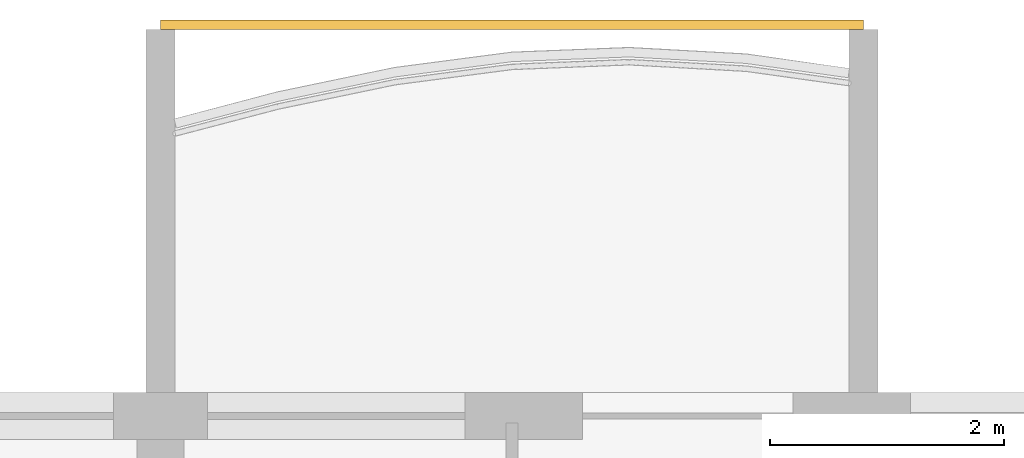
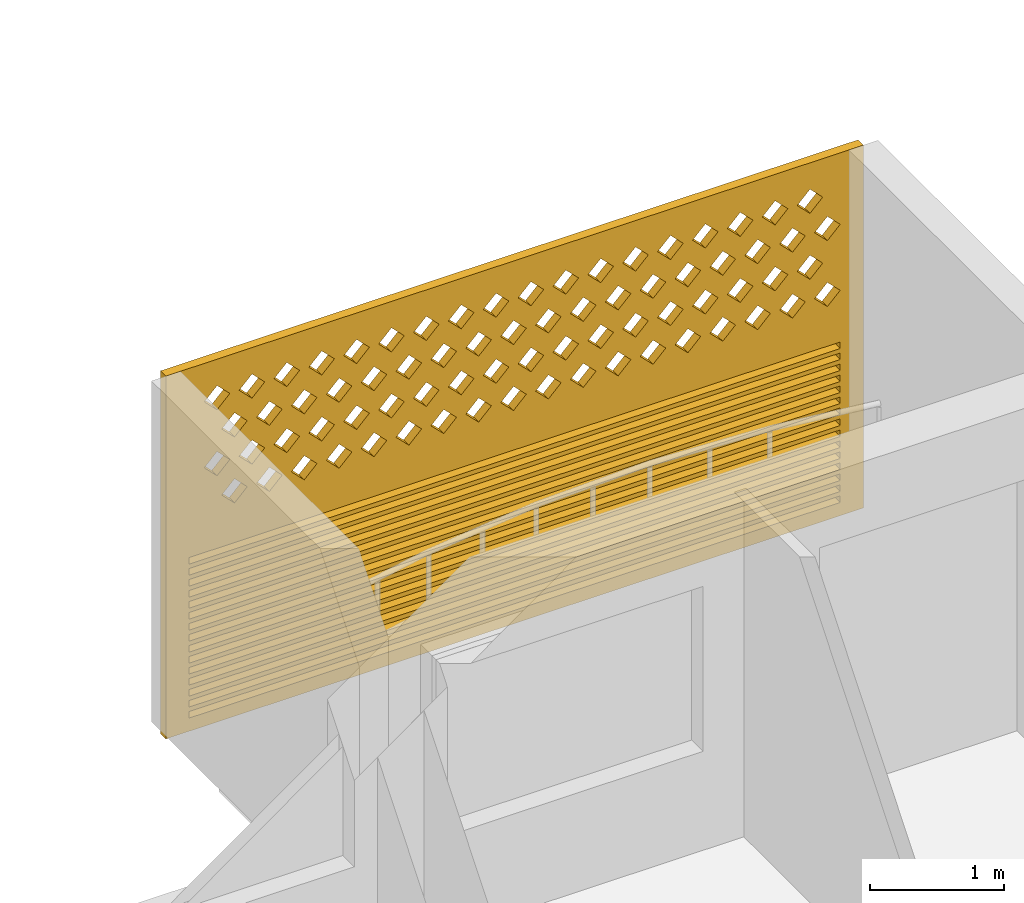
# One storey, part 31 of 40: 1 covering.
"""IFC4 building model written with IfcOpenShell, lengths in metres."""

from ifc_helpers import new_model, si_unit, direction, frame, origin, place, context, subcontext, project, spatial, polyline, outline, extrude, source, transform, mapped, material, material_profile, profile_set, type_object, element, save


model = new_model("IFC4")

# Units and contexts
model_context = context("Model", 3, precision=1e-05, world=origin(), true_north=direction((0.0, 1.0)))
body_context = subcontext(model_context, "Body", "Model", "MODEL_VIEW")
ifc_project = project(units=[si_unit("LENGTHUNIT", "METRE"), si_unit("AREAUNIT", "SQUARE_METRE"), si_unit("VOLUMEUNIT", "CUBIC_METRE"), si_unit("PLANEANGLEUNIT", "RADIAN"), si_unit("MASSUNIT", "GRAM", prefix="KILO")], contexts=[model_context])

# Site, building, storey
site_placement = place(None, origin())
site = spatial("IfcSite", under=ifc_project, at=site_placement, CompositionType="ELEMENT")
building_placement = place(site_placement, origin())
building = spatial("IfcBuilding", under=site, at=building_placement, Name="Poui Terraces", CompositionType="ELEMENT")
storey_placement = place(building_placement, frame((0.0, 0.0, 39.89990234375)))
storey = spatial("IfcBuildingStorey", under=building, at=storey_placement, Name="L10", CompositionType="ELEMENT", Elevation=39.89990234375)

# Covering
ifc_material = material(Name="Terracotta screen", Category="masonry")
ifc_material_profile = material_profile(ifc_material, outline(polyline([(-3.0, -1.64990234375), (3.0, -1.64990234375), (3.0, 1.64990234375), (-3.0, 1.64990234375), (-3.0, -1.64990234375)]), holes=[polyline([(-2.800048828125, 0.39990234375), (-2.68994140625, 0.2900390625), (-2.580078125, 0.39990234375), (-2.68994140625, 0.510009765625), (-2.800048828125, 0.39990234375)]), polyline([(-2.5, 0.39990234375), (-2.389892578125, 0.2900390625), (-2.280029296875, 0.39990234375), (-2.389892578125, 0.510009765625), (-2.5, 0.39990234375)]), polyline([(-2.199951171875, 0.39990234375), (-2.090087890625, 0.2900390625), (-1.97998046875, 0.39990234375), (-2.090087890625, 0.510009765625), (-2.199951171875, 0.39990234375)]), polyline([(-1.89990234375, 0.39990234375), (-1.7900390625, 0.2900390625), (-1.679931640625, 0.39990234375), (-1.7900390625, 0.510009765625), (-1.89990234375, 0.39990234375)]), polyline([(-1.60009765625, 0.39990234375), (-1.489990234375, 0.2900390625), (-1.3798828125, 0.39990234375), (-1.489990234375, 0.510009765625), (-1.60009765625, 0.39990234375)]), polyline([(-1.300048828125, 0.39990234375), (-1.18994140625, 0.2900390625), (-1.080078125, 0.39990234375), (-1.18994140625, 0.510009765625), (-1.300048828125, 0.39990234375)]), polyline([(-1.0, 0.39990234375), (-0.889892578125, 0.2900390625), (-0.780029296875, 0.39990234375), (-0.889892578125, 0.510009765625), (-1.0, 0.39990234375)]), polyline([(-0.699951171875, 0.39990234375), (-0.590087890625, 0.2900390625), (-0.47998046875, 0.39990234375), (-0.590087890625, 0.510009765625), (-0.699951171875, 0.39990234375)]), polyline([(-0.39990234375, 0.39990234375), (-0.2900390625, 0.2900390625), (-0.179931640625, 0.39990234375), (-0.2900390625, 0.510009765625), (-0.39990234375, 0.39990234375)]), polyline([(-0.10009765625, 0.39990234375), (0.010009765625, 0.2900390625), (0.1201171875, 0.39990234375), (0.010009765625, 0.510009765625), (-0.10009765625, 0.39990234375)]), polyline([(0.199951171875, 0.39990234375), (0.31005859375, 0.2900390625), (0.419921875, 0.39990234375), (0.31005859375, 0.510009765625), (0.199951171875, 0.39990234375)]), polyline([(0.5, 0.39990234375), (0.610107421875, 0.2900390625), (0.719970703125, 0.39990234375), (0.610107421875, 0.510009765625), (0.5, 0.39990234375)]), polyline([(0.800048828125, 0.39990234375), (0.909912109375, 0.2900390625), (1.02001953125, 0.39990234375), (0.909912109375, 0.510009765625), (0.800048828125, 0.39990234375)]), polyline([(1.10009765625, 0.39990234375), (1.2099609375, 0.2900390625), (1.320068359375, 0.39990234375), (1.2099609375, 0.510009765625), (1.10009765625, 0.39990234375)]), polyline([(1.39990234375, 0.39990234375), (1.510009765625, 0.2900390625), (1.6201171875, 0.39990234375), (1.510009765625, 0.510009765625), (1.39990234375, 0.39990234375)]), polyline([(1.699951171875, 0.39990234375), (1.81005859375, 0.2900390625), (1.919921875, 0.39990234375), (1.81005859375, 0.510009765625), (1.699951171875, 0.39990234375)]), polyline([(2.0, 0.39990234375), (2.110107421875, 0.2900390625), (2.219970703125, 0.39990234375), (2.110107421875, 0.510009765625), (2.0, 0.39990234375)]), polyline([(2.300048828125, 0.39990234375), (2.409912109375, 0.2900390625), (2.52001953125, 0.39990234375), (2.409912109375, 0.510009765625), (2.300048828125, 0.39990234375)]), polyline([(-2.64990234375, 0.699951171875), (-2.5400390625, 0.590087890625), (-2.429931640625, 0.699951171875), (-2.5400390625, 0.81005859375), (-2.64990234375, 0.699951171875)]), polyline([(-2.35009765625, 0.699951171875), (-2.239990234375, 0.590087890625), (-2.1298828125, 0.699951171875), (-2.239990234375, 0.81005859375), (-2.35009765625, 0.699951171875)]), polyline([(-2.050048828125, 0.699951171875), (-1.93994140625, 0.590087890625), (-1.830078125, 0.699951171875), (-1.93994140625, 0.81005859375), (-2.050048828125, 0.699951171875)]), polyline([(-1.75, 0.699951171875), (-1.639892578125, 0.590087890625), (-1.530029296875, 0.699951171875), (-1.639892578125, 0.81005859375), (-1.75, 0.699951171875)]), polyline([(-1.449951171875, 0.699951171875), (-1.340087890625, 0.590087890625), (-1.22998046875, 0.699951171875), (-1.340087890625, 0.81005859375), (-1.449951171875, 0.699951171875)]), polyline([(-1.14990234375, 0.699951171875), (-1.0400390625, 0.590087890625), (-0.929931640625, 0.699951171875), (-1.0400390625, 0.81005859375), (-1.14990234375, 0.699951171875)]), polyline([(-0.85009765625, 0.699951171875), (-0.739990234375, 0.590087890625), (-0.6298828125, 0.699951171875), (-0.739990234375, 0.81005859375), (-0.85009765625, 0.699951171875)]), polyline([(-0.550048828125, 0.699951171875), (-0.43994140625, 0.590087890625), (-0.330078125, 0.699951171875), (-0.43994140625, 0.81005859375), (-0.550048828125, 0.699951171875)]), polyline([(-0.25, 0.699951171875), (-0.139892578125, 0.590087890625), (-0.030029296875, 0.699951171875), (-0.139892578125, 0.81005859375), (-0.25, 0.699951171875)]), polyline([(0.050048828125, 0.699951171875), (0.159912109375, 0.590087890625), (0.27001953125, 0.699951171875), (0.159912109375, 0.81005859375), (0.050048828125, 0.699951171875)]), polyline([(0.35009765625, 0.699951171875), (0.4599609375, 0.590087890625), (0.570068359375, 0.699951171875), (0.4599609375, 0.81005859375), (0.35009765625, 0.699951171875)]), polyline([(0.64990234375, 0.699951171875), (0.760009765625, 0.590087890625), (0.8701171875, 0.699951171875), (0.760009765625, 0.81005859375), (0.64990234375, 0.699951171875)]), polyline([(0.949951171875, 0.699951171875), (1.06005859375, 0.590087890625), (1.169921875, 0.699951171875), (1.06005859375, 0.81005859375), (0.949951171875, 0.699951171875)]), polyline([(1.25, 0.699951171875), (1.360107421875, 0.590087890625), (1.469970703125, 0.699951171875), (1.360107421875, 0.81005859375), (1.25, 0.699951171875)]), polyline([(1.550048828125, 0.699951171875), (1.659912109375, 0.590087890625), (1.77001953125, 0.699951171875), (1.659912109375, 0.81005859375), (1.550048828125, 0.699951171875)]), polyline([(1.85009765625, 0.699951171875), (1.9599609375, 0.590087890625), (2.070068359375, 0.699951171875), (1.9599609375, 0.81005859375), (1.85009765625, 0.699951171875)]), polyline([(2.14990234375, 0.699951171875), (2.260009765625, 0.590087890625), (2.3701171875, 0.699951171875), (2.260009765625, 0.81005859375), (2.14990234375, 0.699951171875)]), polyline([(2.449951171875, 0.699951171875), (2.56005859375, 0.590087890625), (2.669921875, 0.699951171875), (2.56005859375, 0.81005859375), (2.449951171875, 0.699951171875)]), polyline([(-2.800048828125, 1.0), (-2.68994140625, 0.889892578125), (-2.580078125, 1.0), (-2.68994140625, 1.110107421875), (-2.800048828125, 1.0)]), polyline([(-2.5, 1.0), (-2.389892578125, 0.889892578125), (-2.280029296875, 1.0), (-2.389892578125, 1.110107421875), (-2.5, 1.0)]), polyline([(-2.199951171875, 1.0), (-2.090087890625, 0.889892578125), (-1.97998046875, 1.0), (-2.090087890625, 1.110107421875), (-2.199951171875, 1.0)]), polyline([(-1.89990234375, 1.0), (-1.7900390625, 0.889892578125), (-1.679931640625, 1.0), (-1.7900390625, 1.110107421875), (-1.89990234375, 1.0)]), polyline([(-1.60009765625, 1.0), (-1.489990234375, 0.889892578125), (-1.3798828125, 1.0), (-1.489990234375, 1.110107421875), (-1.60009765625, 1.0)]), polyline([(-1.300048828125, 1.0), (-1.18994140625, 0.889892578125), (-1.080078125, 1.0), (-1.18994140625, 1.110107421875), (-1.300048828125, 1.0)]), polyline([(-1.0, 1.0), (-0.889892578125, 0.889892578125), (-0.780029296875, 1.0), (-0.889892578125, 1.110107421875), (-1.0, 1.0)]), polyline([(-0.699951171875, 1.0), (-0.590087890625, 0.889892578125), (-0.47998046875, 1.0), (-0.590087890625, 1.110107421875), (-0.699951171875, 1.0)]), polyline([(-0.39990234375, 1.0), (-0.2900390625, 0.889892578125), (-0.179931640625, 1.0), (-0.2900390625, 1.110107421875), (-0.39990234375, 1.0)]), polyline([(-0.10009765625, 1.0), (0.010009765625, 0.889892578125), (0.1201171875, 1.0), (0.010009765625, 1.110107421875), (-0.10009765625, 1.0)]), polyline([(0.199951171875, 1.0), (0.31005859375, 0.889892578125), (0.419921875, 1.0), (0.31005859375, 1.110107421875), (0.199951171875, 1.0)]), polyline([(0.5, 1.0), (0.610107421875, 0.889892578125), (0.719970703125, 1.0), (0.610107421875, 1.110107421875), (0.5, 1.0)]), polyline([(0.800048828125, 1.0), (0.909912109375, 0.889892578125), (1.02001953125, 1.0), (0.909912109375, 1.110107421875), (0.800048828125, 1.0)]), polyline([(1.10009765625, 1.0), (1.2099609375, 0.889892578125), (1.320068359375, 1.0), (1.2099609375, 1.110107421875), (1.10009765625, 1.0)]), polyline([(1.39990234375, 1.0), (1.510009765625, 0.889892578125), (1.6201171875, 1.0), (1.510009765625, 1.110107421875), (1.39990234375, 1.0)]), polyline([(1.699951171875, 1.0), (1.81005859375, 0.889892578125), (1.919921875, 1.0), (1.81005859375, 1.110107421875), (1.699951171875, 1.0)]), polyline([(2.0, 1.0), (2.110107421875, 0.889892578125), (2.219970703125, 1.0), (2.110107421875, 1.110107421875), (2.0, 1.0)]), polyline([(2.300048828125, 1.0), (2.409912109375, 0.889892578125), (2.52001953125, 1.0), (2.409912109375, 1.110107421875), (2.300048828125, 1.0)]), polyline([(-2.64990234375, 1.300048828125), (-2.5400390625, 1.18994140625), (-2.429931640625, 1.300048828125), (-2.5400390625, 1.409912109375), (-2.64990234375, 1.300048828125)]), polyline([(-2.35009765625, 1.300048828125), (-2.239990234375, 1.18994140625), (-2.1298828125, 1.300048828125), (-2.239990234375, 1.409912109375), (-2.35009765625, 1.300048828125)]), polyline([(-2.050048828125, 1.300048828125), (-1.93994140625, 1.18994140625), (-1.830078125, 1.300048828125), (-1.93994140625, 1.409912109375), (-2.050048828125, 1.300048828125)]), polyline([(-1.75, 1.300048828125), (-1.639892578125, 1.18994140625), (-1.530029296875, 1.300048828125), (-1.639892578125, 1.409912109375), (-1.75, 1.300048828125)]), polyline([(-1.449951171875, 1.300048828125), (-1.340087890625, 1.18994140625), (-1.22998046875, 1.300048828125), (-1.340087890625, 1.409912109375), (-1.449951171875, 1.300048828125)]), polyline([(-1.14990234375, 1.300048828125), (-1.0400390625, 1.18994140625), (-0.929931640625, 1.300048828125), (-1.0400390625, 1.409912109375), (-1.14990234375, 1.300048828125)]), polyline([(-0.85009765625, 1.300048828125), (-0.739990234375, 1.18994140625), (-0.6298828125, 1.300048828125), (-0.739990234375, 1.409912109375), (-0.85009765625, 1.300048828125)]), polyline([(-0.550048828125, 1.300048828125), (-0.43994140625, 1.18994140625), (-0.330078125, 1.300048828125), (-0.43994140625, 1.409912109375), (-0.550048828125, 1.300048828125)]), polyline([(-0.25, 1.300048828125), (-0.139892578125, 1.18994140625), (-0.030029296875, 1.300048828125), (-0.139892578125, 1.409912109375), (-0.25, 1.300048828125)]), polyline([(0.050048828125, 1.300048828125), (0.159912109375, 1.18994140625), (0.27001953125, 1.300048828125), (0.159912109375, 1.409912109375), (0.050048828125, 1.300048828125)]), polyline([(0.35009765625, 1.300048828125), (0.4599609375, 1.18994140625), (0.570068359375, 1.300048828125), (0.4599609375, 1.409912109375), (0.35009765625, 1.300048828125)]), polyline([(0.64990234375, 1.300048828125), (0.760009765625, 1.18994140625), (0.8701171875, 1.300048828125), (0.760009765625, 1.409912109375), (0.64990234375, 1.300048828125)]), polyline([(0.949951171875, 1.300048828125), (1.06005859375, 1.18994140625), (1.169921875, 1.300048828125), (1.06005859375, 1.409912109375), (0.949951171875, 1.300048828125)]), polyline([(1.25, 1.300048828125), (1.360107421875, 1.18994140625), (1.469970703125, 1.300048828125), (1.360107421875, 1.409912109375), (1.25, 1.300048828125)]), polyline([(1.550048828125, 1.300048828125), (1.659912109375, 1.18994140625), (1.77001953125, 1.300048828125), (1.659912109375, 1.409912109375), (1.550048828125, 1.300048828125)]), polyline([(1.85009765625, 1.300048828125), (1.9599609375, 1.18994140625), (2.070068359375, 1.300048828125), (1.9599609375, 1.409912109375), (1.85009765625, 1.300048828125)]), polyline([(2.14990234375, 1.300048828125), (2.260009765625, 1.18994140625), (2.3701171875, 1.300048828125), (2.260009765625, 1.409912109375), (2.14990234375, 1.300048828125)]), polyline([(2.449951171875, 1.300048828125), (2.56005859375, 1.18994140625), (2.669921875, 1.300048828125), (2.56005859375, 1.409912109375), (2.449951171875, 1.300048828125)]), polyline([(-2.800048828125, -1.530029296875), (2.800048828125, -1.530029296875), (2.800048828125, -1.469970703125), (-2.800048828125, -1.469970703125), (-2.800048828125, -1.530029296875)]), polyline([(-2.800048828125, -1.429931640625), (2.800048828125, -1.429931640625), (2.800048828125, -1.3701171875), (-2.800048828125, -1.3701171875), (-2.800048828125, -1.429931640625)]), polyline([(-2.800048828125, -1.330078125), (2.800048828125, -1.330078125), (2.800048828125, -1.27001953125), (-2.800048828125, -1.27001953125), (-2.800048828125, -1.330078125)]), polyline([(-2.800048828125, -1.22998046875), (2.800048828125, -1.22998046875), (2.800048828125, -1.169921875), (-2.800048828125, -1.169921875), (-2.800048828125, -1.22998046875)]), polyline([(-2.800048828125, -1.1298828125), (2.800048828125, -1.1298828125), (2.800048828125, -1.070068359375), (-2.800048828125, -1.070068359375), (-2.800048828125, -1.1298828125)]), polyline([(-2.800048828125, -1.030029296875), (2.800048828125, -1.030029296875), (2.800048828125, -0.969970703125), (-2.800048828125, -0.969970703125), (-2.800048828125, -1.030029296875)]), polyline([(-2.800048828125, -0.929931640625), (2.800048828125, -0.929931640625), (2.800048828125, -0.8701171875), (-2.800048828125, -0.8701171875), (-2.800048828125, -0.929931640625)]), polyline([(-2.800048828125, -0.830078125), (2.800048828125, -0.830078125), (2.800048828125, -0.77001953125), (-2.800048828125, -0.77001953125), (-2.800048828125, -0.830078125)]), polyline([(-2.800048828125, -0.72998046875), (2.800048828125, -0.72998046875), (2.800048828125, -0.669921875), (-2.800048828125, -0.669921875), (-2.800048828125, -0.72998046875)]), polyline([(-2.800048828125, -0.6298828125), (2.800048828125, -0.6298828125), (2.800048828125, -0.570068359375), (-2.800048828125, -0.570068359375), (-2.800048828125, -0.6298828125)]), polyline([(-2.800048828125, -0.530029296875), (2.800048828125, -0.530029296875), (2.800048828125, -0.469970703125), (-2.800048828125, -0.469970703125), (-2.800048828125, -0.530029296875)]), polyline([(-2.800048828125, -0.429931640625), (2.800048828125, -0.429931640625), (2.800048828125, -0.3701171875), (-2.800048828125, -0.3701171875), (-2.800048828125, -0.429931640625)]), polyline([(-2.800048828125, -0.330078125), (2.800048828125, -0.330078125), (2.800048828125, -0.27001953125), (-2.800048828125, -0.27001953125), (-2.800048828125, -0.330078125)]), polyline([(-2.800048828125, -0.22998046875), (2.800048828125, -0.22998046875), (2.800048828125, -0.169921875), (-2.800048828125, -0.169921875), (-2.800048828125, -0.22998046875)]), polyline([(-2.800048828125, -0.1298828125), (2.800048828125, -0.1298828125), (2.800048828125, -0.070068359375), (-2.800048828125, -0.070068359375), (-2.800048828125, -0.1298828125)])]), Name="TERRACOTTA SCREEN AND JALOUSIE LOUVRE 6000X3300")
ifc_profile_set = profile_set([ifc_material_profile], Name="Terracotta screen")
covering_type = type_object("IfcCoveringType", Name="TERRACOTTA SCREEN AND JALOUSIE LOUVRE 6000X3300", PredefinedType="CLADDING", material=ifc_profile_set)
shared_shape = source(origin(), body_context, "Body", "SweptSolid", [
    extrude(outline(polyline([(-3.0, -1.64990234375), (3.0, -1.64990234375), (3.0, 1.64990234375), (-3.0, 1.64990234375), (-3.0, -1.64990234375)]), holes=[polyline([(-2.800048828125, 0.39990234375), (-2.68994140625, 0.2900390625), (-2.580078125, 0.39990234375), (-2.68994140625, 0.510009765625), (-2.800048828125, 0.39990234375)]), polyline([(-2.5, 0.39990234375), (-2.389892578125, 0.2900390625), (-2.280029296875, 0.39990234375), (-2.389892578125, 0.510009765625), (-2.5, 0.39990234375)]), polyline([(-2.199951171875, 0.39990234375), (-2.090087890625, 0.2900390625), (-1.97998046875, 0.39990234375), (-2.090087890625, 0.510009765625), (-2.199951171875, 0.39990234375)]), polyline([(-1.89990234375, 0.39990234375), (-1.7900390625, 0.2900390625), (-1.679931640625, 0.39990234375), (-1.7900390625, 0.510009765625), (-1.89990234375, 0.39990234375)]), polyline([(-1.60009765625, 0.39990234375), (-1.489990234375, 0.2900390625), (-1.3798828125, 0.39990234375), (-1.489990234375, 0.510009765625), (-1.60009765625, 0.39990234375)]), polyline([(-1.300048828125, 0.39990234375), (-1.18994140625, 0.2900390625), (-1.080078125, 0.39990234375), (-1.18994140625, 0.510009765625), (-1.300048828125, 0.39990234375)]), polyline([(-1.0, 0.39990234375), (-0.889892578125, 0.2900390625), (-0.780029296875, 0.39990234375), (-0.889892578125, 0.510009765625), (-1.0, 0.39990234375)]), polyline([(-0.699951171875, 0.39990234375), (-0.590087890625, 0.2900390625), (-0.47998046875, 0.39990234375), (-0.590087890625, 0.510009765625), (-0.699951171875, 0.39990234375)]), polyline([(-0.39990234375, 0.39990234375), (-0.2900390625, 0.2900390625), (-0.179931640625, 0.39990234375), (-0.2900390625, 0.510009765625), (-0.39990234375, 0.39990234375)]), polyline([(-0.10009765625, 0.39990234375), (0.010009765625, 0.2900390625), (0.1201171875, 0.39990234375), (0.010009765625, 0.510009765625), (-0.10009765625, 0.39990234375)]), polyline([(0.199951171875, 0.39990234375), (0.31005859375, 0.2900390625), (0.419921875, 0.39990234375), (0.31005859375, 0.510009765625), (0.199951171875, 0.39990234375)]), polyline([(0.5, 0.39990234375), (0.610107421875, 0.2900390625), (0.719970703125, 0.39990234375), (0.610107421875, 0.510009765625), (0.5, 0.39990234375)]), polyline([(0.800048828125, 0.39990234375), (0.909912109375, 0.2900390625), (1.02001953125, 0.39990234375), (0.909912109375, 0.510009765625), (0.800048828125, 0.39990234375)]), polyline([(1.10009765625, 0.39990234375), (1.2099609375, 0.2900390625), (1.320068359375, 0.39990234375), (1.2099609375, 0.510009765625), (1.10009765625, 0.39990234375)]), polyline([(1.39990234375, 0.39990234375), (1.510009765625, 0.2900390625), (1.6201171875, 0.39990234375), (1.510009765625, 0.510009765625), (1.39990234375, 0.39990234375)]), polyline([(1.699951171875, 0.39990234375), (1.81005859375, 0.2900390625), (1.919921875, 0.39990234375), (1.81005859375, 0.510009765625), (1.699951171875, 0.39990234375)]), polyline([(2.0, 0.39990234375), (2.110107421875, 0.2900390625), (2.219970703125, 0.39990234375), (2.110107421875, 0.510009765625), (2.0, 0.39990234375)]), polyline([(2.300048828125, 0.39990234375), (2.409912109375, 0.2900390625), (2.52001953125, 0.39990234375), (2.409912109375, 0.510009765625), (2.300048828125, 0.39990234375)]), polyline([(-2.64990234375, 0.699951171875), (-2.5400390625, 0.590087890625), (-2.429931640625, 0.699951171875), (-2.5400390625, 0.81005859375), (-2.64990234375, 0.699951171875)]), polyline([(-2.35009765625, 0.699951171875), (-2.239990234375, 0.590087890625), (-2.1298828125, 0.699951171875), (-2.239990234375, 0.81005859375), (-2.35009765625, 0.699951171875)]), polyline([(-2.050048828125, 0.699951171875), (-1.93994140625, 0.590087890625), (-1.830078125, 0.699951171875), (-1.93994140625, 0.81005859375), (-2.050048828125, 0.699951171875)]), polyline([(-1.75, 0.699951171875), (-1.639892578125, 0.590087890625), (-1.530029296875, 0.699951171875), (-1.639892578125, 0.81005859375), (-1.75, 0.699951171875)]), polyline([(-1.449951171875, 0.699951171875), (-1.340087890625, 0.590087890625), (-1.22998046875, 0.699951171875), (-1.340087890625, 0.81005859375), (-1.449951171875, 0.699951171875)]), polyline([(-1.14990234375, 0.699951171875), (-1.0400390625, 0.590087890625), (-0.929931640625, 0.699951171875), (-1.0400390625, 0.81005859375), (-1.14990234375, 0.699951171875)]), polyline([(-0.85009765625, 0.699951171875), (-0.739990234375, 0.590087890625), (-0.6298828125, 0.699951171875), (-0.739990234375, 0.81005859375), (-0.85009765625, 0.699951171875)]), polyline([(-0.550048828125, 0.699951171875), (-0.43994140625, 0.590087890625), (-0.330078125, 0.699951171875), (-0.43994140625, 0.81005859375), (-0.550048828125, 0.699951171875)]), polyline([(-0.25, 0.699951171875), (-0.139892578125, 0.590087890625), (-0.030029296875, 0.699951171875), (-0.139892578125, 0.81005859375), (-0.25, 0.699951171875)]), polyline([(0.050048828125, 0.699951171875), (0.159912109375, 0.590087890625), (0.27001953125, 0.699951171875), (0.159912109375, 0.81005859375), (0.050048828125, 0.699951171875)]), polyline([(0.35009765625, 0.699951171875), (0.4599609375, 0.590087890625), (0.570068359375, 0.699951171875), (0.4599609375, 0.81005859375), (0.35009765625, 0.699951171875)]), polyline([(0.64990234375, 0.699951171875), (0.760009765625, 0.590087890625), (0.8701171875, 0.699951171875), (0.760009765625, 0.81005859375), (0.64990234375, 0.699951171875)]), polyline([(0.949951171875, 0.699951171875), (1.06005859375, 0.590087890625), (1.169921875, 0.699951171875), (1.06005859375, 0.81005859375), (0.949951171875, 0.699951171875)]), polyline([(1.25, 0.699951171875), (1.360107421875, 0.590087890625), (1.469970703125, 0.699951171875), (1.360107421875, 0.81005859375), (1.25, 0.699951171875)]), polyline([(1.550048828125, 0.699951171875), (1.659912109375, 0.590087890625), (1.77001953125, 0.699951171875), (1.659912109375, 0.81005859375), (1.550048828125, 0.699951171875)]), polyline([(1.85009765625, 0.699951171875), (1.9599609375, 0.590087890625), (2.070068359375, 0.699951171875), (1.9599609375, 0.81005859375), (1.85009765625, 0.699951171875)]), polyline([(2.14990234375, 0.699951171875), (2.260009765625, 0.590087890625), (2.3701171875, 0.699951171875), (2.260009765625, 0.81005859375), (2.14990234375, 0.699951171875)]), polyline([(2.449951171875, 0.699951171875), (2.56005859375, 0.590087890625), (2.669921875, 0.699951171875), (2.56005859375, 0.81005859375), (2.449951171875, 0.699951171875)]), polyline([(-2.800048828125, 1.0), (-2.68994140625, 0.889892578125), (-2.580078125, 1.0), (-2.68994140625, 1.110107421875), (-2.800048828125, 1.0)]), polyline([(-2.5, 1.0), (-2.389892578125, 0.889892578125), (-2.280029296875, 1.0), (-2.389892578125, 1.110107421875), (-2.5, 1.0)]), polyline([(-2.199951171875, 1.0), (-2.090087890625, 0.889892578125), (-1.97998046875, 1.0), (-2.090087890625, 1.110107421875), (-2.199951171875, 1.0)]), polyline([(-1.89990234375, 1.0), (-1.7900390625, 0.889892578125), (-1.679931640625, 1.0), (-1.7900390625, 1.110107421875), (-1.89990234375, 1.0)]), polyline([(-1.60009765625, 1.0), (-1.489990234375, 0.889892578125), (-1.3798828125, 1.0), (-1.489990234375, 1.110107421875), (-1.60009765625, 1.0)]), polyline([(-1.300048828125, 1.0), (-1.18994140625, 0.889892578125), (-1.080078125, 1.0), (-1.18994140625, 1.110107421875), (-1.300048828125, 1.0)]), polyline([(-1.0, 1.0), (-0.889892578125, 0.889892578125), (-0.780029296875, 1.0), (-0.889892578125, 1.110107421875), (-1.0, 1.0)]), polyline([(-0.699951171875, 1.0), (-0.590087890625, 0.889892578125), (-0.47998046875, 1.0), (-0.590087890625, 1.110107421875), (-0.699951171875, 1.0)]), polyline([(-0.39990234375, 1.0), (-0.2900390625, 0.889892578125), (-0.179931640625, 1.0), (-0.2900390625, 1.110107421875), (-0.39990234375, 1.0)]), polyline([(-0.10009765625, 1.0), (0.010009765625, 0.889892578125), (0.1201171875, 1.0), (0.010009765625, 1.110107421875), (-0.10009765625, 1.0)]), polyline([(0.199951171875, 1.0), (0.31005859375, 0.889892578125), (0.419921875, 1.0), (0.31005859375, 1.110107421875), (0.199951171875, 1.0)]), polyline([(0.5, 1.0), (0.610107421875, 0.889892578125), (0.719970703125, 1.0), (0.610107421875, 1.110107421875), (0.5, 1.0)]), polyline([(0.800048828125, 1.0), (0.909912109375, 0.889892578125), (1.02001953125, 1.0), (0.909912109375, 1.110107421875), (0.800048828125, 1.0)]), polyline([(1.10009765625, 1.0), (1.2099609375, 0.889892578125), (1.320068359375, 1.0), (1.2099609375, 1.110107421875), (1.10009765625, 1.0)]), polyline([(1.39990234375, 1.0), (1.510009765625, 0.889892578125), (1.6201171875, 1.0), (1.510009765625, 1.110107421875), (1.39990234375, 1.0)]), polyline([(1.699951171875, 1.0), (1.81005859375, 0.889892578125), (1.919921875, 1.0), (1.81005859375, 1.110107421875), (1.699951171875, 1.0)]), polyline([(2.0, 1.0), (2.110107421875, 0.889892578125), (2.219970703125, 1.0), (2.110107421875, 1.110107421875), (2.0, 1.0)]), polyline([(2.300048828125, 1.0), (2.409912109375, 0.889892578125), (2.52001953125, 1.0), (2.409912109375, 1.110107421875), (2.300048828125, 1.0)]), polyline([(-2.64990234375, 1.300048828125), (-2.5400390625, 1.18994140625), (-2.429931640625, 1.300048828125), (-2.5400390625, 1.409912109375), (-2.64990234375, 1.300048828125)]), polyline([(-2.35009765625, 1.300048828125), (-2.239990234375, 1.18994140625), (-2.1298828125, 1.300048828125), (-2.239990234375, 1.409912109375), (-2.35009765625, 1.300048828125)]), polyline([(-2.050048828125, 1.300048828125), (-1.93994140625, 1.18994140625), (-1.830078125, 1.300048828125), (-1.93994140625, 1.409912109375), (-2.050048828125, 1.300048828125)]), polyline([(-1.75, 1.300048828125), (-1.639892578125, 1.18994140625), (-1.530029296875, 1.300048828125), (-1.639892578125, 1.409912109375), (-1.75, 1.300048828125)]), polyline([(-1.449951171875, 1.300048828125), (-1.340087890625, 1.18994140625), (-1.22998046875, 1.300048828125), (-1.340087890625, 1.409912109375), (-1.449951171875, 1.300048828125)]), polyline([(-1.14990234375, 1.300048828125), (-1.0400390625, 1.18994140625), (-0.929931640625, 1.300048828125), (-1.0400390625, 1.409912109375), (-1.14990234375, 1.300048828125)]), polyline([(-0.85009765625, 1.300048828125), (-0.739990234375, 1.18994140625), (-0.6298828125, 1.300048828125), (-0.739990234375, 1.409912109375), (-0.85009765625, 1.300048828125)]), polyline([(-0.550048828125, 1.300048828125), (-0.43994140625, 1.18994140625), (-0.330078125, 1.300048828125), (-0.43994140625, 1.409912109375), (-0.550048828125, 1.300048828125)]), polyline([(-0.25, 1.300048828125), (-0.139892578125, 1.18994140625), (-0.030029296875, 1.300048828125), (-0.139892578125, 1.409912109375), (-0.25, 1.300048828125)]), polyline([(0.050048828125, 1.300048828125), (0.159912109375, 1.18994140625), (0.27001953125, 1.300048828125), (0.159912109375, 1.409912109375), (0.050048828125, 1.300048828125)]), polyline([(0.35009765625, 1.300048828125), (0.4599609375, 1.18994140625), (0.570068359375, 1.300048828125), (0.4599609375, 1.409912109375), (0.35009765625, 1.300048828125)]), polyline([(0.64990234375, 1.300048828125), (0.760009765625, 1.18994140625), (0.8701171875, 1.300048828125), (0.760009765625, 1.409912109375), (0.64990234375, 1.300048828125)]), polyline([(0.949951171875, 1.300048828125), (1.06005859375, 1.18994140625), (1.169921875, 1.300048828125), (1.06005859375, 1.409912109375), (0.949951171875, 1.300048828125)]), polyline([(1.25, 1.300048828125), (1.360107421875, 1.18994140625), (1.469970703125, 1.300048828125), (1.360107421875, 1.409912109375), (1.25, 1.300048828125)]), polyline([(1.550048828125, 1.300048828125), (1.659912109375, 1.18994140625), (1.77001953125, 1.300048828125), (1.659912109375, 1.409912109375), (1.550048828125, 1.300048828125)]), polyline([(1.85009765625, 1.300048828125), (1.9599609375, 1.18994140625), (2.070068359375, 1.300048828125), (1.9599609375, 1.409912109375), (1.85009765625, 1.300048828125)]), polyline([(2.14990234375, 1.300048828125), (2.260009765625, 1.18994140625), (2.3701171875, 1.300048828125), (2.260009765625, 1.409912109375), (2.14990234375, 1.300048828125)]), polyline([(2.449951171875, 1.300048828125), (2.56005859375, 1.18994140625), (2.669921875, 1.300048828125), (2.56005859375, 1.409912109375), (2.449951171875, 1.300048828125)]), polyline([(-2.800048828125, -1.530029296875), (2.800048828125, -1.530029296875), (2.800048828125, -1.469970703125), (-2.800048828125, -1.469970703125), (-2.800048828125, -1.530029296875)]), polyline([(-2.800048828125, -1.429931640625), (2.800048828125, -1.429931640625), (2.800048828125, -1.3701171875), (-2.800048828125, -1.3701171875), (-2.800048828125, -1.429931640625)]), polyline([(-2.800048828125, -1.330078125), (2.800048828125, -1.330078125), (2.800048828125, -1.27001953125), (-2.800048828125, -1.27001953125), (-2.800048828125, -1.330078125)]), polyline([(-2.800048828125, -1.22998046875), (2.800048828125, -1.22998046875), (2.800048828125, -1.169921875), (-2.800048828125, -1.169921875), (-2.800048828125, -1.22998046875)]), polyline([(-2.800048828125, -1.1298828125), (2.800048828125, -1.1298828125), (2.800048828125, -1.070068359375), (-2.800048828125, -1.070068359375), (-2.800048828125, -1.1298828125)]), polyline([(-2.800048828125, -1.030029296875), (2.800048828125, -1.030029296875), (2.800048828125, -0.969970703125), (-2.800048828125, -0.969970703125), (-2.800048828125, -1.030029296875)]), polyline([(-2.800048828125, -0.929931640625), (2.800048828125, -0.929931640625), (2.800048828125, -0.8701171875), (-2.800048828125, -0.8701171875), (-2.800048828125, -0.929931640625)]), polyline([(-2.800048828125, -0.830078125), (2.800048828125, -0.830078125), (2.800048828125, -0.77001953125), (-2.800048828125, -0.77001953125), (-2.800048828125, -0.830078125)]), polyline([(-2.800048828125, -0.72998046875), (2.800048828125, -0.72998046875), (2.800048828125, -0.669921875), (-2.800048828125, -0.669921875), (-2.800048828125, -0.72998046875)]), polyline([(-2.800048828125, -0.6298828125), (2.800048828125, -0.6298828125), (2.800048828125, -0.570068359375), (-2.800048828125, -0.570068359375), (-2.800048828125, -0.6298828125)]), polyline([(-2.800048828125, -0.530029296875), (2.800048828125, -0.530029296875), (2.800048828125, -0.469970703125), (-2.800048828125, -0.469970703125), (-2.800048828125, -0.530029296875)]), polyline([(-2.800048828125, -0.429931640625), (2.800048828125, -0.429931640625), (2.800048828125, -0.3701171875), (-2.800048828125, -0.3701171875), (-2.800048828125, -0.429931640625)]), polyline([(-2.800048828125, -0.330078125), (2.800048828125, -0.330078125), (2.800048828125, -0.27001953125), (-2.800048828125, -0.27001953125), (-2.800048828125, -0.330078125)]), polyline([(-2.800048828125, -0.22998046875), (2.800048828125, -0.22998046875), (2.800048828125, -0.169921875), (-2.800048828125, -0.169921875), (-2.800048828125, -0.22998046875)]), polyline([(-2.800048828125, -0.1298828125), (2.800048828125, -0.1298828125), (2.800048828125, -0.070068359375), (-2.800048828125, -0.070068359375), (-2.800048828125, -0.1298828125)])]), origin(), (0.0, 0.0, 1.0), 0.079833984375),
])
covering_placement = place(storey_placement, frame((63.0, 48.10009765625, 1.4501953125), z_axis=(0.0, 1.0, 0.0), x_axis=(-1.0, 0.0, 0.0)))
element("IfcCovering", 1, at=covering_placement, inside=storey, type_object=covering_type, Name="SOLAR SCREEN AND JALOUSIE LOUVRE", PredefinedType="CLADDING", context=body_context, shape_type="MappedRepresentation", body=[
    mapped(shared_shape, transform((0.0, 0.0, 0.0))),
])

save(model, "model.ifc")
